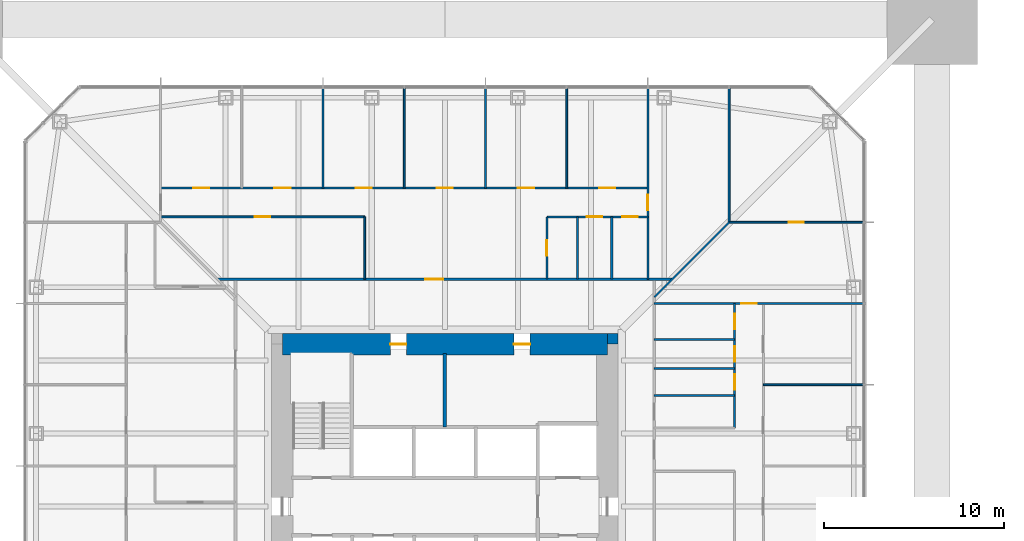
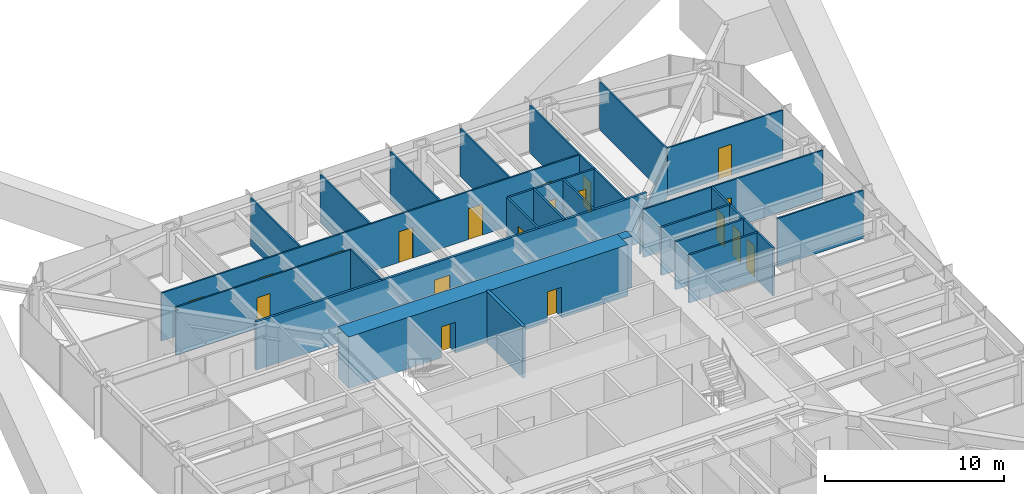
# One storey, part 19 of 28: 25 walls, 19 doors, 19 openings.
"""IFC4 building model written with IfcOpenShell, lengths in metres."""

from ifc_helpers import new_model, si_unit, direction, frame, frame_2d, origin, place, context, subcontext, project, spatial, rectangle, extrude, material, layer, layer_set, type_object, element, fill, save


model = new_model("IFC4")

# Units and contexts
model_context = context("Model", 3, precision=1e-05, world=origin(), true_north=direction((0.0, 1.0)))
body_context = subcontext(model_context, "Body", "Model", "MODEL_VIEW")
ifc_project = project(units=[si_unit("LENGTHUNIT", "METRE"), si_unit("AREAUNIT", "SQUARE_METRE"), si_unit("VOLUMEUNIT", "CUBIC_METRE"), si_unit("PLANEANGLEUNIT", "RADIAN"), si_unit("MASSUNIT", "GRAM", prefix="KILO")], contexts=[model_context])

# Site, building, storey
site_placement = place(None, origin())
site = spatial("IfcSite", under=ifc_project, at=site_placement, CompositionType="ELEMENT")
building_placement = place(site_placement, origin())
building = spatial("IfcBuilding", under=site, at=building_placement, Name="Iwan Alto Co-Living Towers", CompositionType="ELEMENT")
storey_placement = place(building_placement, frame((0.0, 0.0, 64.0)))
storey = spatial("IfcBuildingStorey", under=building, at=storey_placement, Name="L17", CompositionType="ELEMENT", Elevation=64.0)

# Wall, opening, door
ifc_material_1 = material(Name="Gypsum board")
ifc_layer_1 = layer(ifc_material_1, 0.02490234375, Name="Board", Category="Finish")
ifc_material_2 = material(Name="Steel ASTM A1003 ST33H cold-formed studs", Category="steel")
ifc_layer_2 = layer(ifc_material_2, 0.10009765625, Name="Studs", Category="Framing")
ifc_layer_3 = layer(ifc_material_1, 0.02490234375, Name="Board", Category="Finish")
ifc_layer_set_1 = layer_set([ifc_layer_1, ifc_layer_2, ifc_layer_3], Name="CORRIDOR WALL 150")
wall_type_1 = type_object("IfcWallType", Name="CORRIDOR WALL 150", PredefinedType="PARTITIONING", material=ifc_layer_set_1)
wall_1_placement = place(storey_placement, frame((-12.60009765625, 12.60009765625, 0.0), z_axis=(0.0, 0.0, 1.0), x_axis=(1.0, 0.0, 0.0)))
wall_1 = element("IfcWall", 1, at=wall_1_placement, inside=storey, type_object=wall_type_1, Name="Partition L17", PredefinedType="PARTITIONING", context=body_context, shape_type="SweptSolid", body=[
    extrude(rectangle(XDim=25.2001953125, YDim=0.14990234375, at=frame_2d((12.60009765625, 0.0))), origin(), (0.0, 0.0, 1.0), 3.27001953125),
])
opening_1_placement = place(wall_1_placement, frame((11.5048828125, 0.0, 0.0)))
opening_1 = element("IfcOpeningElement", 2, at=opening_1_placement, cuts=wall_1, Name="Opening D3", PredefinedType="OPENING", context=body_context, shape_type="SweptSolid", body=[
    extrude(rectangle(XDim=1.0, YDim=2.10009765625, at=frame_2d((0.5, 1.050048828125))), frame((0.0, 0.0849609375, 0.0), z_axis=(0.0, -1.0, 0.0), x_axis=(1.0, 0.0, 0.0)), (0.0, 0.0, 1.0), 0.169921875),
])
ifc_material_3 = material(Name="Steel frame with timber leaf", Category="steel")
door_type_1 = type_object("IfcDoorType", Name="FLAT ENTRANCE DOOR FD30S 1000X2100", OperationType="SINGLE_SWING_LEFT", PredefinedType="DOOR", material=ifc_material_3)
door_1_placement = place(opening_1_placement, origin())
door_1 = element("IfcDoor", 3, at=door_1_placement, inside=storey, type_object=door_type_1, Name="Cluster lounge door L17", OperationType="SINGLE_SWING_LEFT", OverallHeight=2.10009765625, OverallWidth=1.0, PredefinedType="DOOR", context=body_context, shape_type="SweptSolid", body=[
    extrude(rectangle(XDim=1.0, YDim=2.10009765625, at=frame_2d((0.5, 1.050048828125))), frame((0.0, 0.02490234375, 0.0), z_axis=(0.0, -1.0, 0.0), x_axis=(1.0, 0.0, 0.0)), (0.0, 0.0, 1.0), 0.050048828125),
])
fill(opening_1, door_1)

# Wall
ifc_layer_4 = layer(ifc_material_1, 0.012451171875, Name="Board", Category="Finish")
ifc_layer_5 = layer(ifc_material_2, 0.074951171875, Name="Studs", Category="Framing")
ifc_layer_6 = layer(ifc_material_1, 0.012451171875, Name="Board", Category="Finish")
ifc_layer_set_2 = layer_set([ifc_layer_4, ifc_layer_5, ifc_layer_6], Name="PARTITION 100")
wall_type_2 = type_object("IfcWallType", Name="PARTITION 100", PredefinedType="PARTITIONING", material=ifc_layer_set_2)
wall_2_placement = place(storey_placement, frame((17.64990234375, 6.75, 0.0), z_axis=(0.0, 0.0, 1.0), x_axis=(1.0, 0.0, 0.0)))
element("IfcWall", 4, at=wall_2_placement, inside=storey, type_object=wall_type_2, Name="Partition L17", PredefinedType="PARTITIONING", context=body_context, shape_type="SweptSolid", body=[
    extrude(rectangle(XDim=5.5400390625, YDim=0.10009765625, at=frame_2d((2.77001953125, 0.0))), origin(), (0.0, 0.0, 1.0), 3.27001953125),
])

# Wall, opening, door
wall_3_placement = place(storey_placement, frame((11.60009765625, 11.25, 0.0), z_axis=(0.0, 0.0, 1.0), x_axis=(1.0, 0.0, 0.0)))
wall_3 = element("IfcWall", 5, at=wall_3_placement, inside=storey, type_object=wall_type_2, Name="Partition L17", PredefinedType="PARTITIONING", context=body_context, shape_type="SweptSolid", body=[
    extrude(rectangle(XDim=11.58984375, YDim=0.10009765625, at=frame_2d((5.794921875, 0.0))), origin(), (0.0, 0.0, 1.0), 3.27001953125),
])
opening_2_placement = place(wall_3_placement, frame((4.824951171875, 0.0, 0.0)))
opening_2 = element("IfcOpeningElement", 6, at=opening_2_placement, cuts=wall_3, Name="Opening D2", PredefinedType="OPENING", context=body_context, shape_type="SweptSolid", body=[
    extrude(rectangle(XDim=0.85009765625, YDim=2.10009765625, at=frame_2d((0.425048828125, 1.050048828125))), frame((0.0, 0.06005859375, 0.0), z_axis=(0.0, -1.0, 0.0), x_axis=(1.0, 0.0, 0.0)), (0.0, 0.0, 1.0), 0.1201171875),
])
ifc_material_4 = material(Name="Timber leaf in steel frame", Category="steel")
door_type_2 = type_object("IfcDoorType", Name="ROOM DOOR 850X2100", OperationType="SINGLE_SWING_LEFT", PredefinedType="DOOR", material=ifc_material_4)
door_2_placement = place(opening_2_placement, frame((0.85009765625, 0.0, 0.0), z_axis=(0.0, 0.0, 1.0), x_axis=(-1.0, 0.0, 0.0)))
door_2 = element("IfcDoor", 7, at=door_2_placement, inside=storey, type_object=door_type_2, Name="Teaching kitchen door L17", OperationType="SINGLE_SWING_RIGHT", OverallHeight=2.10009765625, OverallWidth=0.85009765625, PredefinedType="DOOR", context=body_context, shape_type="SweptSolid", body=[
    extrude(rectangle(XDim=0.85009765625, YDim=2.10009765625, at=frame_2d((0.425048828125, 1.050048828125))), frame((0.0, 0.02490234375, 0.0), z_axis=(0.0, -1.0, 0.0), x_axis=(1.0, 0.0, 0.0)), (0.0, 0.0, 1.0), 0.050048828125),
])
fill(opening_2, door_2)

wall_4_placement = place(storey_placement, frame((15.75, 15.75, 0.0), z_axis=(0.0, 0.0, 1.0), x_axis=(1.0, 0.0, 0.0)))
wall_4 = element("IfcWall", 8, at=wall_4_placement, inside=storey, type_object=wall_type_2, Name="Partition L17", PredefinedType="PARTITIONING", context=body_context, shape_type="SweptSolid", body=[
    extrude(rectangle(XDim=7.43994140625, YDim=0.10009765625, at=frame_2d((3.719970703125, 0.0))), origin(), (0.0, 0.0, 1.0), 3.27001953125),
])
opening_3_placement = place(wall_4_placement, frame((3.294921875, 0.0, 0.0)))
opening_3 = element("IfcOpeningElement", 9, at=opening_3_placement, cuts=wall_4, Name="Opening D2", PredefinedType="OPENING", context=body_context, shape_type="SweptSolid", body=[
    extrude(rectangle(XDim=0.85009765625, YDim=2.10009765625, at=frame_2d((0.425048828125, 1.050048828125))), frame((0.0, 0.06005859375, 0.0), z_axis=(0.0, -1.0, 0.0), x_axis=(1.0, 0.0, 0.0)), (0.0, 0.0, 1.0), 0.1201171875),
])
door_3_placement = place(opening_3_placement, origin())
door_3 = element("IfcDoor", 10, at=door_3_placement, inside=storey, type_object=door_type_2, Name="Shared kitchen and lounge door L17", OperationType="SINGLE_SWING_LEFT", OverallHeight=2.10009765625, OverallWidth=0.85009765625, PredefinedType="DOOR", context=body_context, shape_type="SweptSolid", body=[
    extrude(rectangle(XDim=0.85009765625, YDim=2.10009765625, at=frame_2d((0.425048828125, 1.050048828125))), frame((0.0, 0.02490234375, 0.0), z_axis=(0.0, -1.0, 0.0), x_axis=(1.0, 0.0, 0.0)), (0.0, 0.0, 1.0), 0.050048828125),
])
fill(opening_3, door_3)

wall_5_placement = place(storey_placement, frame((-15.75, 16.050048828125, 0.0), z_axis=(0.0, 0.0, 1.0), x_axis=(1.0, 0.0, 0.0)))
wall_5 = element("IfcWall", 11, at=wall_5_placement, inside=storey, type_object=wall_type_2, Name="Partition L17", PredefinedType="PARTITIONING", context=body_context, shape_type="SweptSolid", body=[
    extrude(rectangle(XDim=11.31005859375, YDim=0.10009765625, at=frame_2d((5.655029296875, 0.0))), origin(), (0.0, 0.0, 1.0), 3.27001953125),
])
opening_4_placement = place(wall_5_placement, frame((5.22998046875, 0.0, 0.0)))
opening_4 = element("IfcOpeningElement", 12, at=opening_4_placement, cuts=wall_5, Name="Opening D2", PredefinedType="OPENING", context=body_context, shape_type="SweptSolid", body=[
    extrude(rectangle(XDim=0.85009765625, YDim=2.10009765625, at=frame_2d((0.425048828125, 1.050048828125))), frame((0.0, 0.06005859375, 0.0), z_axis=(0.0, -1.0, 0.0), x_axis=(1.0, 0.0, 0.0)), (0.0, 0.0, 1.0), 0.1201171875),
])
door_4_placement = place(opening_4_placement, origin())
door_4 = element("IfcDoor", 13, at=door_4_placement, inside=storey, type_object=door_type_2, Name="Study room door L17", OperationType="SINGLE_SWING_LEFT", OverallHeight=2.10009765625, OverallWidth=0.85009765625, PredefinedType="DOOR", context=body_context, shape_type="SweptSolid", body=[
    extrude(rectangle(XDim=0.85009765625, YDim=2.10009765625, at=frame_2d((0.425048828125, 1.050048828125))), frame((0.0, 0.02490234375, 0.0), z_axis=(0.0, -1.0, 0.0), x_axis=(1.0, 0.0, 0.0)), (0.0, 0.0, 1.0), 0.050048828125),
])
fill(opening_4, door_4)

# Wall, openings, doors
wall_6_placement = place(storey_placement, frame((-15.75, 17.64990234375, 0.0), z_axis=(0.0, 0.0, 1.0), x_axis=(1.0, 0.0, 0.0)))
wall_6 = element("IfcWall", 14, at=wall_6_placement, inside=storey, type_object=wall_type_2, Name="Partition L17", PredefinedType="PARTITIONING", context=body_context, shape_type="SweptSolid", body=[
    extrude(rectangle(XDim=27.0, YDim=0.10009765625, at=frame_2d((13.5, 0.0))), origin(), (0.0, 0.0, 1.0), 3.27001953125),
])
opening_5_placement = place(wall_6_placement, frame((24.300048828125, 0.0, 0.0)))
opening_5 = element("IfcOpeningElement", 15, at=opening_5_placement, cuts=wall_6, Name="Opening D1", PredefinedType="OPENING", context=body_context, shape_type="SweptSolid", body=[
    extrude(rectangle(XDim=0.89990234375, YDim=2.10009765625, at=frame_2d((0.449951171875, 1.050048828125))), frame((0.0, 0.06005859375, 0.0), z_axis=(0.0, -1.0, 0.0), x_axis=(1.0, 0.0, 0.0)), (0.0, 0.0, 1.0), 0.1201171875),
])
opening_6_placement = place(wall_6_placement, frame((19.800048828125, 0.0, 0.0)))
opening_6 = element("IfcOpeningElement", 16, at=opening_6_placement, cuts=wall_6, Name="Opening D1", PredefinedType="OPENING", context=body_context, shape_type="SweptSolid", body=[
    extrude(rectangle(XDim=0.89990234375, YDim=2.10009765625, at=frame_2d((0.449951171875, 1.050048828125))), frame((0.0, 0.06005859375, 0.0), z_axis=(0.0, -1.0, 0.0), x_axis=(1.0, 0.0, 0.0)), (0.0, 0.0, 1.0), 0.1201171875),
])
opening_7_placement = place(wall_6_placement, frame((15.300048828125, 0.0, 0.0)))
opening_7 = element("IfcOpeningElement", 17, at=opening_7_placement, cuts=wall_6, Name="Opening D1", PredefinedType="OPENING", context=body_context, shape_type="SweptSolid", body=[
    extrude(rectangle(XDim=0.89990234375, YDim=2.10009765625, at=frame_2d((0.449951171875, 1.050048828125))), frame((0.0, 0.06005859375, 0.0), z_axis=(0.0, -1.0, 0.0), x_axis=(1.0, 0.0, 0.0)), (0.0, 0.0, 1.0), 0.1201171875),
])
opening_8_placement = place(wall_6_placement, frame((10.800048828125, 0.0, 0.0)))
opening_8 = element("IfcOpeningElement", 18, at=opening_8_placement, cuts=wall_6, Name="Opening D1", PredefinedType="OPENING", context=body_context, shape_type="SweptSolid", body=[
    extrude(rectangle(XDim=0.89990234375, YDim=2.10009765625, at=frame_2d((0.449951171875, 1.050048828125))), frame((0.0, 0.06005859375, 0.0), z_axis=(0.0, -1.0, 0.0), x_axis=(1.0, 0.0, 0.0)), (0.0, 0.0, 1.0), 0.1201171875),
])
opening_9_placement = place(wall_6_placement, frame((6.300048828125, 0.0, 0.0)))
opening_9 = element("IfcOpeningElement", 19, at=opening_9_placement, cuts=wall_6, Name="Opening D1", PredefinedType="OPENING", context=body_context, shape_type="SweptSolid", body=[
    extrude(rectangle(XDim=0.89990234375, YDim=2.10009765625, at=frame_2d((0.449951171875, 1.050048828125))), frame((0.0, 0.06005859375, 0.0), z_axis=(0.0, -1.0, 0.0), x_axis=(1.0, 0.0, 0.0)), (0.0, 0.0, 1.0), 0.1201171875),
])
opening_10_placement = place(wall_6_placement, frame((1.800048828125, 0.0, 0.0)))
opening_10 = element("IfcOpeningElement", 20, at=opening_10_placement, cuts=wall_6, Name="Opening D1", PredefinedType="OPENING", context=body_context, shape_type="SweptSolid", body=[
    extrude(rectangle(XDim=0.89990234375, YDim=2.10009765625, at=frame_2d((0.449951171875, 1.050048828125))), frame((0.0, 0.06005859375, 0.0), z_axis=(0.0, -1.0, 0.0), x_axis=(1.0, 0.0, 0.0)), (0.0, 0.0, 1.0), 0.1201171875),
])
ifc_material_5 = material(Name="Timber leaf in steel frame", Category="steel")
door_type_3 = type_object("IfcDoorType", Name="BEDROOM DOOR 900X2100", OperationType="SINGLE_SWING_LEFT", PredefinedType="DOOR", material=ifc_material_5)
door_5_placement = place(opening_5_placement, frame((0.89990234375, 0.0, 0.0), z_axis=(0.0, 0.0, 1.0), x_axis=(-1.0, 0.0, 0.0)))
door_5 = element("IfcDoor", 21, at=door_5_placement, inside=storey, type_object=door_type_3, Name="Study bedroom door L17", OperationType="SINGLE_SWING_LEFT", OverallHeight=2.10009765625, OverallWidth=0.89990234375, PredefinedType="DOOR", context=body_context, shape_type="SweptSolid", body=[
    extrude(rectangle(XDim=0.89990234375, YDim=2.10009765625, at=frame_2d((0.449951171875, 1.050048828125))), frame((0.0, 0.02490234375, 0.0), z_axis=(0.0, -1.0, 0.0), x_axis=(1.0, 0.0, 0.0)), (0.0, 0.0, 1.0), 0.050048828125),
])
fill(opening_5, door_5)
door_6_placement = place(opening_6_placement, frame((0.89990234375, 0.0, 0.0), z_axis=(0.0, 0.0, 1.0), x_axis=(-1.0, 0.0, 0.0)))
door_6 = element("IfcDoor", 22, at=door_6_placement, inside=storey, type_object=door_type_3, Name="Study bedroom door L17", OperationType="SINGLE_SWING_LEFT", OverallHeight=2.10009765625, OverallWidth=0.89990234375, PredefinedType="DOOR", context=body_context, shape_type="SweptSolid", body=[
    extrude(rectangle(XDim=0.89990234375, YDim=2.10009765625, at=frame_2d((0.449951171875, 1.050048828125))), frame((0.0, 0.02490234375, 0.0), z_axis=(0.0, -1.0, 0.0), x_axis=(1.0, 0.0, 0.0)), (0.0, 0.0, 1.0), 0.050048828125),
])
fill(opening_6, door_6)
door_7_placement = place(opening_7_placement, frame((0.89990234375, 0.0, 0.0), z_axis=(0.0, 0.0, 1.0), x_axis=(-1.0, 0.0, 0.0)))
door_7 = element("IfcDoor", 23, at=door_7_placement, inside=storey, type_object=door_type_3, Name="Study bedroom door L17", OperationType="SINGLE_SWING_LEFT", OverallHeight=2.10009765625, OverallWidth=0.89990234375, PredefinedType="DOOR", context=body_context, shape_type="SweptSolid", body=[
    extrude(rectangle(XDim=0.89990234375, YDim=2.10009765625, at=frame_2d((0.449951171875, 1.050048828125))), frame((0.0, 0.02490234375, 0.0), z_axis=(0.0, -1.0, 0.0), x_axis=(1.0, 0.0, 0.0)), (0.0, 0.0, 1.0), 0.050048828125),
])
fill(opening_7, door_7)
door_8_placement = place(opening_8_placement, frame((0.89990234375, 0.0, 0.0), z_axis=(0.0, 0.0, 1.0), x_axis=(-1.0, 0.0, 0.0)))
door_8 = element("IfcDoor", 24, at=door_8_placement, inside=storey, type_object=door_type_3, Name="Study bedroom door L17", OperationType="SINGLE_SWING_RIGHT", OverallHeight=2.10009765625, OverallWidth=0.89990234375, PredefinedType="DOOR", context=body_context, shape_type="SweptSolid", body=[
    extrude(rectangle(XDim=0.89990234375, YDim=2.10009765625, at=frame_2d((0.449951171875, 1.050048828125))), frame((0.0, 0.02490234375, 0.0), z_axis=(0.0, -1.0, 0.0), x_axis=(1.0, 0.0, 0.0)), (0.0, 0.0, 1.0), 0.050048828125),
])
fill(opening_8, door_8)
door_9_placement = place(opening_9_placement, frame((0.89990234375, 0.0, 0.0), z_axis=(0.0, 0.0, 1.0), x_axis=(-1.0, 0.0, 0.0)))
door_9 = element("IfcDoor", 25, at=door_9_placement, inside=storey, type_object=door_type_3, Name="Study bedroom door L17", OperationType="SINGLE_SWING_RIGHT", OverallHeight=2.10009765625, OverallWidth=0.89990234375, PredefinedType="DOOR", context=body_context, shape_type="SweptSolid", body=[
    extrude(rectangle(XDim=0.89990234375, YDim=2.10009765625, at=frame_2d((0.449951171875, 1.050048828125))), frame((0.0, 0.02490234375, 0.0), z_axis=(0.0, -1.0, 0.0), x_axis=(1.0, 0.0, 0.0)), (0.0, 0.0, 1.0), 0.050048828125),
])
fill(opening_9, door_9)
door_10_placement = place(opening_10_placement, frame((0.89990234375, 0.0, 0.0), z_axis=(0.0, 0.0, 1.0), x_axis=(-1.0, 0.0, 0.0)))
door_10 = element("IfcDoor", 26, at=door_10_placement, inside=storey, type_object=door_type_3, Name="Study bedroom door L17", OperationType="SINGLE_SWING_RIGHT", OverallHeight=2.10009765625, OverallWidth=0.89990234375, PredefinedType="DOOR", context=body_context, shape_type="SweptSolid", body=[
    extrude(rectangle(XDim=0.89990234375, YDim=2.10009765625, at=frame_2d((0.449951171875, 1.050048828125))), frame((0.0, 0.02490234375, 0.0), z_axis=(0.0, -1.0, 0.0), x_axis=(1.0, 0.0, 0.0)), (0.0, 0.0, 1.0), 0.050048828125),
])
fill(opening_10, door_10)

# Walls
wall_7_placement = place(storey_placement, frame((11.60009765625, 11.60009765625, 0.0), z_axis=(0.0, 0.0, 1.0), x_axis=(0.707106781187, 0.707106781187, 0.0)))
element("IfcWall", 27, at=wall_7_placement, inside=storey, type_object=wall_type_2, Name="Partition L17", PredefinedType="PARTITIONING", context=body_context, shape_type="SweptSolid", body=[
    extrude(rectangle(XDim=5.868896484375, YDim=0.10009765625, at=frame_2d((2.9345703125, 0.0))), origin(), (0.0, 0.0, 1.0), 2.343017578125),
])
wall_8_placement = place(storey_placement, frame((15.75, 15.75, 0.0), z_axis=(0.0, 0.0, 1.0), x_axis=(0.0, 1.0, 0.0)))
element("IfcWall", 28, at=wall_8_placement, inside=storey, type_object=wall_type_2, Name="Partition L17", PredefinedType="PARTITIONING", context=body_context, shape_type="SweptSolid", body=[
    extrude(rectangle(XDim=7.43994140625, YDim=0.10009765625, at=frame_2d((3.719970703125, 0.0))), origin(), (0.0, 0.0, 1.0), 3.27001953125),
])

# Wall, opening, door
wall_9_placement = place(storey_placement, frame((11.25, 12.60009765625, 0.0), z_axis=(0.0, 0.0, 1.0), x_axis=(0.0, 1.0, 0.0)))
wall_9 = element("IfcWall", 29, at=wall_9_placement, inside=storey, type_object=wall_type_2, Name="Partition L17", PredefinedType="PARTITIONING", context=body_context, shape_type="SweptSolid", body=[
    extrude(rectangle(XDim=10.58984375, YDim=0.10009765625, at=frame_2d((5.294921875, 0.0))), origin(), (0.0, 0.0, 1.0), 3.27001953125),
])
opening_11_placement = place(wall_9_placement, frame((3.824951171875, 0.0, 0.0)))
opening_11 = element("IfcOpeningElement", 30, at=opening_11_placement, cuts=wall_9, Name="Opening D2", PredefinedType="OPENING", context=body_context, shape_type="SweptSolid", body=[
    extrude(rectangle(XDim=0.85009765625, YDim=2.10009765625, at=frame_2d((0.425048828125, 1.050048828125))), frame((0.0, 0.06005859375, 0.0), z_axis=(0.0, -1.0, 0.0), x_axis=(1.0, 0.0, 0.0)), (0.0, 0.0, 1.0), 0.1201171875),
])
door_11_placement = place(opening_11_placement, origin())
door_11 = element("IfcDoor", 31, at=door_11_placement, inside=storey, type_object=door_type_2, Name="Teaching kitchen door L17", OperationType="SINGLE_SWING_LEFT", OverallHeight=2.10009765625, OverallWidth=0.85009765625, PredefinedType="DOOR", context=body_context, shape_type="SweptSolid", body=[
    extrude(rectangle(XDim=0.85009765625, YDim=2.10009765625, at=frame_2d((0.425048828125, 1.050048828125))), frame((0.0, 0.02490234375, 0.0), z_axis=(0.0, -1.0, 0.0), x_axis=(1.0, 0.0, 0.0)), (0.0, 0.0, 1.0), 0.050048828125),
])
fill(opening_11, door_11)

# Walls
for number, where, z_axis, x_axis, name in (
    (32, (6.75, 17.64990234375, 0.0), (0.0, 0.0, 1.0), (0.0, 1.0, 0.0), "Partition L17"),
    (33, (2.25, 17.64990234375, 0.0), (0.0, 0.0, 1.0), (0.0, 1.0, 0.0), "Partition L17"),
    (34, (-2.25, 17.64990234375, 0.0), (0.0, 0.0, 1.0), (0.0, 1.0, 0.0), "Partition L17"),
):
    element("IfcWall", number, at=place(storey_placement, frame(where, z_axis=z_axis, x_axis=x_axis)), inside=storey, type_object=wall_type_2, Name=name, PredefinedType="PARTITIONING", context=body_context, shape_type="SweptSolid", body=[
        extrude(rectangle(XDim=5.5400390625, YDim=0.10009765625, at=frame_2d((2.77001953125, 0.0))), origin(), (0.0, 0.0, 1.0), 3.27001953125),
    ])
wall_10_placement = place(storey_placement, frame((-4.43994140625, 12.60009765625, 0.0), z_axis=(0.0, 0.0, 1.0), x_axis=(0.0, 1.0, 0.0)))
element("IfcWall", 35, at=wall_10_placement, inside=storey, type_object=wall_type_2, Name="Partition L17", PredefinedType="PARTITIONING", context=body_context, shape_type="SweptSolid", body=[
    extrude(rectangle(XDim=3.449951171875, YDim=0.10009765625, at=frame_2d((1.72509765625, 0.0))), origin(), (0.0, 0.0, 1.0), 3.27001953125),
])
wall_11_placement = place(storey_placement, frame((-6.75, 17.64990234375, 0.0), z_axis=(0.0, 0.0, 1.0), x_axis=(0.0, 1.0, 0.0)))
element("IfcWall", 36, at=wall_11_placement, inside=storey, type_object=wall_type_2, Name="Partition L17", PredefinedType="PARTITIONING", context=body_context, shape_type="SweptSolid", body=[
    extrude(rectangle(XDim=5.5400390625, YDim=0.10009765625, at=frame_2d((2.77001953125, 0.0))), origin(), (0.0, 0.0, 1.0), 3.27001953125),
])
ifc_material_6 = material(Name="Concrete f'c 70 MPa", Category="concrete")
ifc_layer_7 = layer(ifc_material_6, 0.199951171875)
ifc_layer_set_3 = layer_set([ifc_layer_7], Name="SHAFT WALL 200")
wall_type_3 = type_object("IfcWallType", Name="SHAFT WALL 200", PredefinedType="SOLIDWALL", material=ifc_layer_set_3)
wall_12_placement = place(storey_placement, frame((0.0, 4.39990234375, 0.0), z_axis=(0.0, 0.0, 1.0), x_axis=(0.0, 1.0, 0.0)))
element("IfcWall", 37, at=wall_12_placement, inside=storey, type_object=wall_type_3, Name="Shaft wall L17", PredefinedType="SOLIDWALL", context=body_context, shape_type="SweptSolid", body=[
    extrude(rectangle(XDim=4.090087890625, YDim=0.199951171875, at=frame_2d((2.044921875, 0.0))), origin(), (0.0, 0.0, 1.0), 3.5),
])
ifc_material_7 = material(Name="Concrete f'c 70 MPa", Category="concrete")
ifc_layer_8 = layer(ifc_material_7, 0.60009765625)
ifc_layer_set_4 = layer_set([ifc_layer_8], Name="T1 CORE CORNER FILL 600")
wall_type_4 = type_object("IfcWallType", Name="T1 CORE CORNER FILL 600", PredefinedType="SOLIDWALL", material=ifc_layer_set_4)
wall_13_placement = place(storey_placement, frame((9.0, 9.300048828125, 0.0), z_axis=(0.0, 0.0, 1.0), x_axis=(1.0, 0.0, 0.0)))
element("IfcWall", 38, at=wall_13_placement, inside=storey, type_object=wall_type_4, Name="T1 core corner NE L17", PredefinedType="SOLIDWALL", context=body_context, shape_type="SweptSolid", body=[
    extrude(rectangle(XDim=0.60009765625, YDim=0.60009765625, at=frame_2d((0.300048828125, 0.0))), origin(), (0.0, 0.0, 1.0), 3.5),
])

# Wall, openings, doors
ifc_material_8 = material(Name="Concrete f'c 70 MPa", Category="concrete")
ifc_layer_9 = layer(ifc_material_8, 1.199951171875)
ifc_layer_set_5 = layer_set([ifc_layer_9], Name="T1 CORE WALL 1200")
wall_type_5 = type_object("IfcWallType", Name="T1 CORE WALL 1200", PredefinedType="SHEAR", material=ifc_layer_set_5)
wall_14_placement = place(storey_placement, frame((9.0, 9.0, 0.0), z_axis=(0.0, 0.0, 1.0), x_axis=(-1.0, 0.0, 0.0)))
wall_14 = element("IfcWall", 39, at=wall_14_placement, inside=storey, type_object=wall_type_5, Name="T1 core wall N L17", PredefinedType="SHEAR", context=body_context, shape_type="SweptSolid", body=[
    extrude(rectangle(XDim=18.0, YDim=1.199951171875, at=frame_2d((9.0, 0.0))), origin(), (0.0, 0.0, 1.0), 3.5),
])
opening_12_placement = place(wall_14_placement, frame((11.125, 0.0, 0.0)))
opening_12 = element("IfcOpeningElement", 40, at=opening_12_placement, cuts=wall_14, Name="Opening D8", PredefinedType="OPENING", context=body_context, shape_type="SweptSolid", body=[
    extrude(rectangle(XDim=0.89990234375, YDim=2.10009765625, at=frame_2d((0.449951171875, 1.050048828125))), frame((0.0, 0.60986328125, 0.0), z_axis=(0.0, -1.0, 0.0), x_axis=(1.0, 0.0, 0.0)), (0.0, 0.0, 1.0), 1.219970703125),
])
opening_13_placement = place(wall_14_placement, frame((4.27490234375, 0.0, 0.0)))
opening_13 = element("IfcOpeningElement", 41, at=opening_13_placement, cuts=wall_14, Name="Opening D8", PredefinedType="OPENING", context=body_context, shape_type="SweptSolid", body=[
    extrude(rectangle(XDim=0.89990234375, YDim=2.10009765625, at=frame_2d((0.449951171875, 1.050048828125))), frame((0.0, 0.60986328125, 0.0), z_axis=(0.0, -1.0, 0.0), x_axis=(1.0, 0.0, 0.0)), (0.0, 0.0, 1.0), 1.219970703125),
])
ifc_material_9 = material(Name="Steel frame with timber leaf", Category="steel")
door_type_4 = type_object("IfcDoorType", Name="RISER DOOR FD120 900X2100", OperationType="SINGLE_SWING_LEFT", PredefinedType="DOOR", material=ifc_material_9)
door_12_placement = place(opening_12_placement, origin())
door_12 = element("IfcDoor", 42, at=door_12_placement, inside=storey, type_object=door_type_4, Name="Electrical riser core door L17", OperationType="SINGLE_SWING_RIGHT", OverallHeight=2.10009765625, OverallWidth=0.89990234375, PredefinedType="DOOR", context=body_context, shape_type="SweptSolid", body=[
    extrude(rectangle(XDim=0.89990234375, YDim=2.10009765625, at=frame_2d((0.449951171875, 1.050048828125))), frame((0.0, 0.02490234375, 0.0), z_axis=(0.0, -1.0, 0.0), x_axis=(1.0, 0.0, 0.0)), (0.0, 0.0, 1.0), 0.050048828125),
])
fill(opening_12, door_12)
door_13_placement = place(opening_13_placement, origin())
door_13 = element("IfcDoor", 43, at=door_13_placement, inside=storey, type_object=door_type_4, Name="Water and drainage riser core door L17", OperationType="SINGLE_SWING_RIGHT", OverallHeight=2.10009765625, OverallWidth=0.89990234375, PredefinedType="DOOR", context=body_context, shape_type="SweptSolid", body=[
    extrude(rectangle(XDim=0.89990234375, YDim=2.10009765625, at=frame_2d((0.449951171875, 1.050048828125))), frame((0.0, 0.02490234375, 0.0), z_axis=(0.0, -1.0, 0.0), x_axis=(1.0, 0.0, 0.0)), (0.0, 0.0, 1.0), 0.050048828125),
])
fill(opening_13, door_13)

# Walls
ifc_material_10 = material(Name="Cement board")
ifc_layer_10 = layer(ifc_material_10, 0.012451171875, Name="Board", Category="Finish")
ifc_layer_11 = layer(ifc_material_2, 0.094970703125, Name="Studs", Category="Framing")
ifc_layer_12 = layer(ifc_material_10, 0.012451171875, Name="Board", Category="Finish")
ifc_layer_set_6 = layer_set([ifc_layer_10, ifc_layer_11, ifc_layer_12], Name="WET AREA PARTITION 120")
wall_type_6 = type_object("IfcWallType", Name="WET AREA PARTITION 120", PredefinedType="PARTITIONING", material=ifc_layer_set_6)
for number, where, z_axis, x_axis, name in (
    (44, (11.60009765625, 6.14990234375, 0.0), (0.0, 0.0, 1.0), (1.0, 0.0, 0.0), "Partition L17"),
    (45, (11.60009765625, 7.64990234375, 0.0), (0.0, 0.0, 1.0), (1.0, 0.0, 0.0), "Partition L17"),
    (46, (11.60009765625, 9.25, 0.0), (0.0, 0.0, 1.0), (1.0, 0.0, 0.0), "Partition L17"),
):
    element("IfcWall", number, at=place(storey_placement, frame(where, z_axis=z_axis, x_axis=x_axis)), inside=storey, type_object=wall_type_6, Name=name, PredefinedType="PARTITIONING", context=body_context, shape_type="SweptSolid", body=[
        extrude(rectangle(XDim=4.449951171875, YDim=0.1201171875, at=frame_2d((2.22509765625, 0.0))), origin(), (0.0, 0.0, 1.0), 3.27001953125),
    ])

# Wall, openings, doors
wall_15_placement = place(storey_placement, frame((5.64990234375, 16.050048828125, 0.0), z_axis=(0.0, 0.0, 1.0), x_axis=(1.0, 0.0, 0.0)))
wall_15 = element("IfcWall", 47, at=wall_15_placement, inside=storey, type_object=wall_type_6, Name="Partition L17", PredefinedType="PARTITIONING", context=body_context, shape_type="SweptSolid", body=[
    extrude(rectangle(XDim=5.60009765625, YDim=0.1201171875, at=frame_2d((2.800048828125, 0.0))), origin(), (0.0, 0.0, 1.0), 3.27001953125),
])
opening_14_placement = place(wall_15_placement, frame((4.175048828125, 0.0, 0.0)))
opening_14 = element("IfcOpeningElement", 48, at=opening_14_placement, cuts=wall_15, Name="Opening D2", PredefinedType="OPENING", context=body_context, shape_type="SweptSolid", body=[
    extrude(rectangle(XDim=0.85009765625, YDim=2.10009765625, at=frame_2d((0.425048828125, 1.050048828125))), frame((0.0, 0.070068359375, 0.0), z_axis=(0.0, -1.0, 0.0), x_axis=(1.0, 0.0, 0.0)), (0.0, 0.0, 1.0), 0.14013671875),
])
opening_15_placement = place(wall_15_placement, frame((2.22509765625, 0.0, 0.0)))
opening_15 = element("IfcOpeningElement", 49, at=opening_15_placement, cuts=wall_15, Name="Opening D2", PredefinedType="OPENING", context=body_context, shape_type="SweptSolid", body=[
    extrude(rectangle(XDim=0.85009765625, YDim=2.10009765625, at=frame_2d((0.425048828125, 1.050048828125))), frame((0.0, 0.070068359375, 0.0), z_axis=(0.0, -1.0, 0.0), x_axis=(1.0, 0.0, 0.0)), (0.0, 0.0, 1.0), 0.14013671875),
])
door_14_placement = place(opening_14_placement, origin())
door_14 = element("IfcDoor", 50, at=door_14_placement, inside=storey, type_object=door_type_2, Name="Laundry door L17", OperationType="SINGLE_SWING_RIGHT", OverallHeight=2.10009765625, OverallWidth=0.85009765625, PredefinedType="DOOR", context=body_context, shape_type="SweptSolid", body=[
    extrude(rectangle(XDim=0.85009765625, YDim=2.10009765625, at=frame_2d((0.425048828125, 1.050048828125))), frame((0.0, 0.02490234375, 0.0), z_axis=(0.0, -1.0, 0.0), x_axis=(1.0, 0.0, 0.0)), (0.0, 0.0, 1.0), 0.050048828125),
])
fill(opening_14, door_14)
door_15_placement = place(opening_15_placement, origin())
door_15 = element("IfcDoor", 51, at=door_15_placement, inside=storey, type_object=door_type_2, Name="Accessible bathroom door L17", OperationType="SINGLE_SWING_RIGHT", OverallHeight=2.10009765625, OverallWidth=0.85009765625, PredefinedType="DOOR", context=body_context, shape_type="SweptSolid", body=[
    extrude(rectangle(XDim=0.85009765625, YDim=2.10009765625, at=frame_2d((0.425048828125, 1.050048828125))), frame((0.0, 0.02490234375, 0.0), z_axis=(0.0, -1.0, 0.0), x_axis=(1.0, 0.0, 0.0)), (0.0, 0.0, 1.0), 0.050048828125),
])
fill(opening_15, door_15)

wall_16_placement = place(storey_placement, frame((16.050048828125, 4.35009765625, 0.0), z_axis=(0.0, 0.0, 1.0), x_axis=(0.0, 1.0, 0.0)))
wall_16 = element("IfcWall", 52, at=wall_16_placement, inside=storey, type_object=wall_type_6, Name="Partition L17", PredefinedType="PARTITIONING", context=body_context, shape_type="SweptSolid", body=[
    extrude(rectangle(XDim=6.89990234375, YDim=0.1201171875, at=frame_2d((3.449951171875, 0.0))), origin(), (0.0, 0.0, 1.0), 3.27001953125),
])
opening_16_placement = place(wall_16_placement, frame((2.125, 0.0, 0.0)))
opening_16 = element("IfcOpeningElement", 53, at=opening_16_placement, cuts=wall_16, Name="Opening D2", PredefinedType="OPENING", context=body_context, shape_type="SweptSolid", body=[
    extrude(rectangle(XDim=0.85009765625, YDim=2.10009765625, at=frame_2d((0.425048828125, 1.050048828125))), frame((0.0, 0.070068359375, 0.0), z_axis=(0.0, -1.0, 0.0), x_axis=(1.0, 0.0, 0.0)), (0.0, 0.0, 1.0), 0.14013671875),
])
opening_17_placement = place(wall_16_placement, frame((3.675048828125, 0.0, 0.0)))
opening_17 = element("IfcOpeningElement", 54, at=opening_17_placement, cuts=wall_16, Name="Opening D2", PredefinedType="OPENING", context=body_context, shape_type="SweptSolid", body=[
    extrude(rectangle(XDim=0.85009765625, YDim=2.10009765625, at=frame_2d((0.425048828125, 1.050048828125))), frame((0.0, 0.070068359375, 0.0), z_axis=(0.0, -1.0, 0.0), x_axis=(1.0, 0.0, 0.0)), (0.0, 0.0, 1.0), 0.14013671875),
])
opening_18_placement = place(wall_16_placement, frame((5.47509765625, 0.0, 0.0)))
opening_18 = element("IfcOpeningElement", 55, at=opening_18_placement, cuts=wall_16, Name="Opening D2", PredefinedType="OPENING", context=body_context, shape_type="SweptSolid", body=[
    extrude(rectangle(XDim=0.85009765625, YDim=2.10009765625, at=frame_2d((0.425048828125, 1.050048828125))), frame((0.0, 0.070068359375, 0.0), z_axis=(0.0, -1.0, 0.0), x_axis=(1.0, 0.0, 0.0)), (0.0, 0.0, 1.0), 0.14013671875),
])
door_16_placement = place(opening_16_placement, frame((0.85009765625, 0.0, 0.0), z_axis=(0.0, 0.0, 1.0), x_axis=(-1.0, 0.0, 0.0)))
door_16 = element("IfcDoor", 56, at=door_16_placement, inside=storey, type_object=door_type_2, Name="Bathroom door L17", OperationType="SINGLE_SWING_LEFT", OverallHeight=2.10009765625, OverallWidth=0.85009765625, PredefinedType="DOOR", context=body_context, shape_type="SweptSolid", body=[
    extrude(rectangle(XDim=0.85009765625, YDim=2.10009765625, at=frame_2d((0.425048828125, 1.050048828125))), frame((0.0, 0.02490234375, 0.0), z_axis=(0.0, -1.0, 0.0), x_axis=(1.0, 0.0, 0.0)), (0.0, 0.0, 1.0), 0.050048828125),
])
fill(opening_16, door_16)
door_17_placement = place(opening_17_placement, frame((0.85009765625, 0.0, 0.0), z_axis=(0.0, 0.0, 1.0), x_axis=(-1.0, 0.0, 0.0)))
door_17 = element("IfcDoor", 57, at=door_17_placement, inside=storey, type_object=door_type_2, Name="Accessible bathroom door L17", OperationType="SINGLE_SWING_LEFT", OverallHeight=2.10009765625, OverallWidth=0.85009765625, PredefinedType="DOOR", context=body_context, shape_type="SweptSolid", body=[
    extrude(rectangle(XDim=0.85009765625, YDim=2.10009765625, at=frame_2d((0.425048828125, 1.050048828125))), frame((0.0, 0.02490234375, 0.0), z_axis=(0.0, -1.0, 0.0), x_axis=(1.0, 0.0, 0.0)), (0.0, 0.0, 1.0), 0.050048828125),
])
fill(opening_17, door_17)
door_18_placement = place(opening_18_placement, frame((0.85009765625, 0.0, 0.0), z_axis=(0.0, 0.0, 1.0), x_axis=(-1.0, 0.0, 0.0)))
door_18 = element("IfcDoor", 58, at=door_18_placement, inside=storey, type_object=door_type_2, Name="Laundry door L17", OperationType="SINGLE_SWING_LEFT", OverallHeight=2.10009765625, OverallWidth=0.85009765625, PredefinedType="DOOR", context=body_context, shape_type="SweptSolid", body=[
    extrude(rectangle(XDim=0.85009765625, YDim=2.10009765625, at=frame_2d((0.425048828125, 1.050048828125))), frame((0.0, 0.02490234375, 0.0), z_axis=(0.0, -1.0, 0.0), x_axis=(1.0, 0.0, 0.0)), (0.0, 0.0, 1.0), 0.050048828125),
])
fill(opening_18, door_18)

# Walls
for number, where, z_axis, x_axis, name in (
    (59, (9.25, 12.60009765625, 0.0), (0.0, 0.0, 1.0), (0.0, 1.0, 0.0), "Partition L17"),
    (60, (7.35009765625, 12.60009765625, 0.0), (0.0, 0.0, 1.0), (0.0, 1.0, 0.0), "Partition L17"),
):
    element("IfcWall", number, at=place(storey_placement, frame(where, z_axis=z_axis, x_axis=x_axis)), inside=storey, type_object=wall_type_6, Name=name, PredefinedType="PARTITIONING", context=body_context, shape_type="SweptSolid", body=[
        extrude(rectangle(XDim=3.449951171875, YDim=0.1201171875, at=frame_2d((1.72509765625, 0.0))), origin(), (0.0, 0.0, 1.0), 3.27001953125),
    ])

# Wall, opening, door
wall_17_placement = place(storey_placement, frame((5.64990234375, 12.60009765625, 0.0), z_axis=(0.0, 0.0, 1.0), x_axis=(0.0, 1.0, 0.0)))
wall_17 = element("IfcWall", 61, at=wall_17_placement, inside=storey, type_object=wall_type_6, Name="Partition L17", PredefinedType="PARTITIONING", context=body_context, shape_type="SweptSolid", body=[
    extrude(rectangle(XDim=3.449951171875, YDim=0.1201171875, at=frame_2d((1.72509765625, 0.0))), origin(), (0.0, 0.0, 1.0), 3.27001953125),
])
opening_19_placement = place(wall_17_placement, frame((1.300048828125, 0.0, 0.0)))
opening_19 = element("IfcOpeningElement", 62, at=opening_19_placement, cuts=wall_17, Name="Opening D2", PredefinedType="OPENING", context=body_context, shape_type="SweptSolid", body=[
    extrude(rectangle(XDim=0.85009765625, YDim=2.10009765625, at=frame_2d((0.425048828125, 1.050048828125))), frame((0.0, 0.070068359375, 0.0), z_axis=(0.0, -1.0, 0.0), x_axis=(1.0, 0.0, 0.0)), (0.0, 0.0, 1.0), 0.14013671875),
])
door_19_placement = place(opening_19_placement, origin())
door_19 = element("IfcDoor", 63, at=door_19_placement, inside=storey, type_object=door_type_2, Name="Bathroom door L17", OperationType="SINGLE_SWING_LEFT", OverallHeight=2.10009765625, OverallWidth=0.85009765625, PredefinedType="DOOR", context=body_context, shape_type="SweptSolid", body=[
    extrude(rectangle(XDim=0.85009765625, YDim=2.10009765625, at=frame_2d((0.425048828125, 1.050048828125))), frame((0.0, 0.02490234375, 0.0), z_axis=(0.0, -1.0, 0.0), x_axis=(1.0, 0.0, 0.0)), (0.0, 0.0, 1.0), 0.050048828125),
])
fill(opening_19, door_19)

save(model, "model.ifc")
